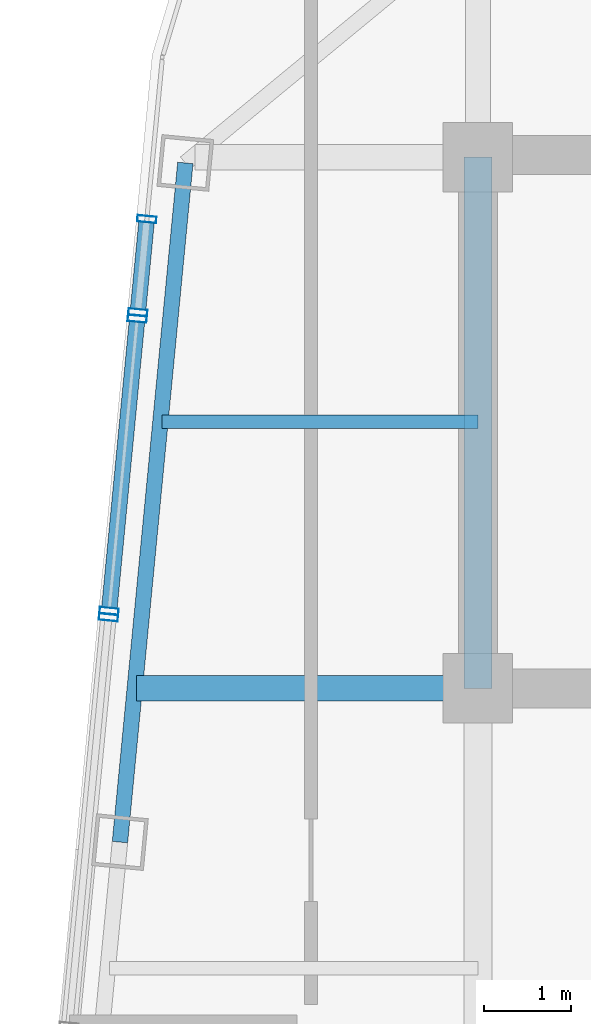
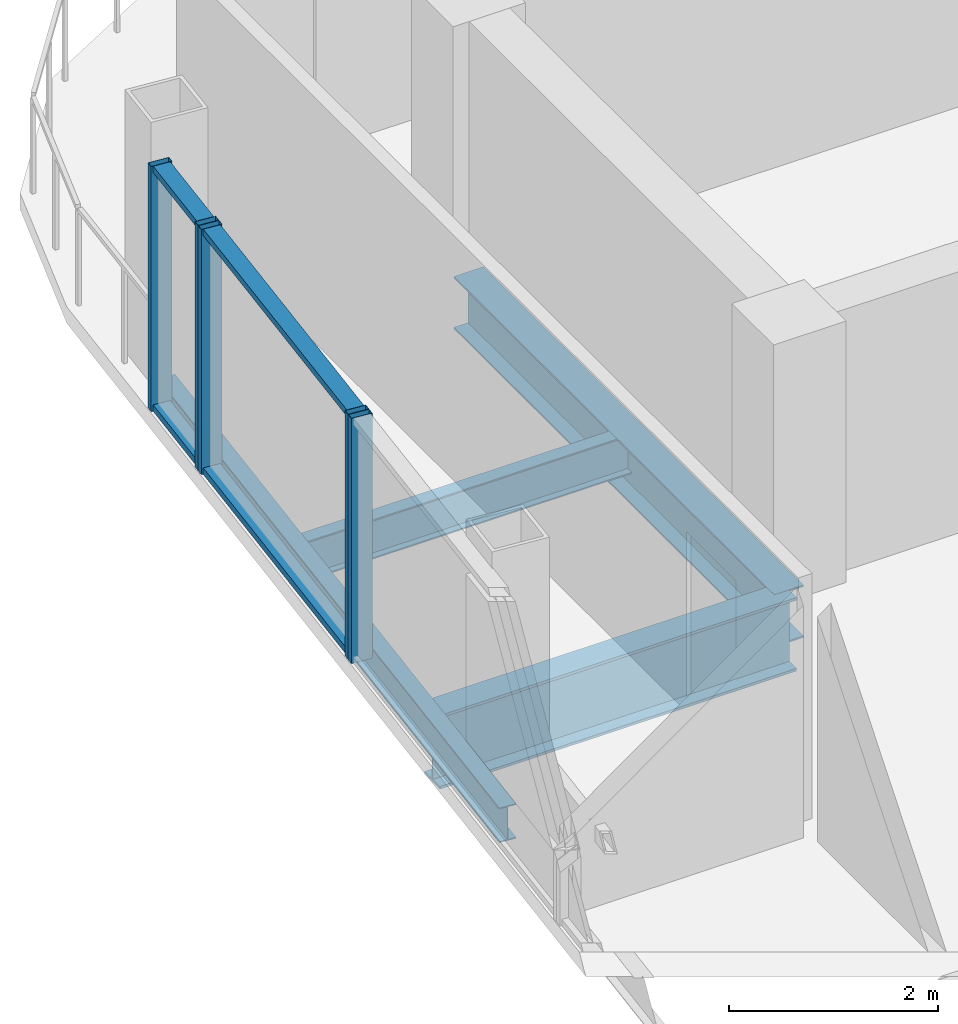
# One storey, part 11 of 27: 9 members, 4 beams, 3 elements without a shape of their own.
"""IFC4 building model written with IfcOpenShell, lengths in metres."""

from ifc_helpers import new_model, si_unit, direction, frame, origin, origin_2d, place, context, subcontext, project, spatial, hollow_rectangle, i_section, extrude, material, layer, layer_set, material_profile, profile_set, type_object, element, aggregate, save


model = new_model("IFC4")

# Units and contexts
model_context = context("Model", 3, precision=1e-05, world=origin(), true_north=direction((0.0, 1.0)))
body_context = subcontext(model_context, "Body", "Model", "MODEL_VIEW")
ifc_project = project(units=[si_unit("LENGTHUNIT", "METRE"), si_unit("AREAUNIT", "SQUARE_METRE"), si_unit("VOLUMEUNIT", "CUBIC_METRE"), si_unit("PLANEANGLEUNIT", "RADIAN"), si_unit("MASSUNIT", "GRAM", prefix="KILO")], contexts=[model_context])

# Site, building, storey
site_placement = place(None, origin())
site = spatial("IfcSite", under=ifc_project, at=site_placement, CompositionType="ELEMENT")
building_placement = place(site_placement, origin())
building = spatial("IfcBuilding", under=site, at=building_placement, Name="Qhalaya Broadcast Tower", CompositionType="ELEMENT")
storey_placement = place(building_placement, frame((0.0, 0.0, 258.10009765625)))
storey = spatial("IfcBuildingStorey", under=building, at=storey_placement, Name="L76", CompositionType="ELEMENT", Elevation=258.10009765625)

# Beams
ifc_material_1 = material(Name="Structural Steel ASTM A992 Grade 50", Category="steel")
ifc_material_profile_1 = material_profile(ifc_material_1, i_section(OverallWidth=0.154052734375, OverallDepth=0.458984375, WebThickness=0.009033203125, FlangeThickness=0.015380859375, at=origin_2d()), Name="W18X46")
ifc_profile_set_1 = profile_set([ifc_material_profile_1], Name="Structural Steel ASTM A992 Grade 50")
beam_type_1 = type_object("IfcBeamType", Name="Composite Floor Joist J04", PredefinedType="JOIST", material=ifc_profile_set_1)
beam_1_placement = place(storey_placement, frame((-13.015625, 6.89990234375, -0.419677734375), z_axis=(1.0, 0.0, 0.0), x_axis=(0.0, 1.0, 0.0)))
element("IfcBeam", 1, at=beam_1_placement, inside=storey, type_object=beam_type_1, Name="L76 J04 L76-JWE5W-1", PredefinedType="JOIST", context=body_context, shape_type="SweptSolid", body=[
    extrude(i_section(OverallWidth=0.154052734375, OverallDepth=0.458984375, WebThickness=0.009033203125, FlangeThickness=0.015380859375, at=origin_2d()), origin(), (0.0, 0.0, 1.0), 3.640625),
])
ifc_material_profile_2 = material_profile(ifc_material_1, i_section(OverallWidth=0.323974609375, OverallDepth=0.612060546875, WebThickness=0.0126953125, FlangeThickness=0.01904296875, at=origin_2d()), Name="W24X104")
ifc_profile_set_2 = profile_set([ifc_material_profile_2], Name="Structural Steel ASTM A992 Grade 50")
beam_type_2 = type_object("IfcBeamType", Name="Core Frame Tie Beam B04", PredefinedType="BEAM", material=ifc_profile_set_2)
beam_2_placement = place(storey_placement, frame((-9.375, 3.824951171875, -0.49609375), z_axis=(0.0, 1.0, 0.0), x_axis=(-1.0, 0.0, 0.0)))
element("IfcBeam", 2, at=beam_2_placement, inside=storey, type_object=beam_type_2, Name="L76 B04 L76-CCN2", PredefinedType="BEAM", context=body_context, shape_type="SweptSolid", body=[
    extrude(i_section(OverallWidth=0.323974609375, OverallDepth=0.612060546875, WebThickness=0.0126953125, FlangeThickness=0.01904296875, at=origin_2d()), origin(), (0.0, 0.0, 1.0), 6.125),
])

# Curtain wall, members
ifc_material_2 = material(Name="Fired Architectural Terracotta", Category="masonry")
ifc_layer_1 = layer(ifc_material_2, 0.219970703125, Name="Fired Architectural Terracotta")
ifc_layer_set_1 = layer_set([ifc_layer_1], Name="Fired Architectural Terracotta")
curtain_wall_type_1 = type_object("IfcCurtainWallType", Name="Block-Cap Unitised Terracotta Spandrel Wall CW-07", PredefinedType="NOTDEFINED", material=ifc_layer_set_1)
curtain_wall_1_placement = place(storey_placement, origin())
curtain_wall_1 = element("IfcCurtainWall", 3, at=curtain_wall_1_placement, inside=storey, type_object=curtain_wall_type_1, Name="L76 Unitised Curtain Wall L76-CW-W1", PredefinedType="NOTDEFINED")
ifc_material_3 = material(Name="Anodised Aluminium 6063-T6", Category="aluminium")
ifc_material_profile_3 = material_profile(ifc_material_3, hollow_rectangle(XDim=0.074951171875, YDim=0.219970703125, WallThickness=0.00390625, at=origin_2d()), Name="ALU-MUL 75x220x4")
ifc_profile_set_3 = profile_set([ifc_material_profile_3], Name="Anodised Aluminium 6063-T6")
member_type_1 = type_object("IfcMemberType", Name="Unitised Curtain-Wall Mullion M01", PredefinedType="MULLION", material=ifc_profile_set_3)
member_1_placement = place(storey_placement, frame((-13.192626953125, 9.235107421875, 0.0), z_axis=(0.0, 0.0, 1.0), x_axis=(-0.095839545253, -0.995396796039, 0.0)))
member_1 = element("IfcMember", 4, at=member_1_placement, type_object=member_type_1, Name="CW-07 mullion 1", PredefinedType="MULLION", context=body_context, shape_type="SweptSolid", body=[
    extrude(hollow_rectangle(XDim=0.074951171875, YDim=0.219970703125, WallThickness=0.00390625, at=origin_2d()), origin(), (0.0, 0.0, 1.0), 2.85986328125),
])
member_2_placement = place(storey_placement, frame((-13.2958984375, 8.1611328125, 0.0), z_axis=(0.0, 0.0, 1.0), x_axis=(-0.095839545253, -0.995396796039, 0.0)))
member_2 = element("IfcMember", 5, at=member_2_placement, type_object=member_type_1, Name="CW-07 mullion 2", PredefinedType="MULLION", context=body_context, shape_type="SweptSolid", body=[
    extrude(hollow_rectangle(XDim=0.074951171875, YDim=0.219970703125, WallThickness=0.00390625, at=origin_2d()), origin(), (0.0, 0.0, 1.0), 2.85986328125),
])

ifc_material_4 = material(Name="Solar-Control Low-E Triple Glazing", Category="glass")
ifc_layer_2 = layer(ifc_material_4, 0.219970703125, Name="Solar-Control Low-E Triple Glazing")
ifc_layer_set_2 = layer_set([ifc_layer_2], Name="Solar-Control Low-E Triple Glazing")
curtain_wall_type_2 = type_object("IfcCurtainWallType", Name="High-Altitude Upper-Shaft Triple Low-E Curtain Wall CW-04", PredefinedType="NOTDEFINED", material=ifc_layer_set_2)
curtain_wall_2_placement = place(storey_placement, origin())
curtain_wall_2 = element("IfcCurtainWall", 6, at=curtain_wall_2_placement, inside=storey, type_object=curtain_wall_type_2, Name="L76 Unitised Curtain Wall L76-CW-W2", PredefinedType="NOTDEFINED")
member_3_placement = place(storey_placement, frame((-13.30322265625, 8.08642578125, 0.0), z_axis=(0.0, 0.0, 1.0), x_axis=(-0.095836350923, -0.995397103593, 0.0)))
member_3 = element("IfcMember", 7, at=member_3_placement, type_object=member_type_1, Name="CW-04 mullion 1", PredefinedType="MULLION", context=body_context, shape_type="SweptSolid", body=[
    extrude(hollow_rectangle(XDim=0.074951171875, YDim=0.219970703125, WallThickness=0.00390625, at=origin_2d()), origin(), (0.0, 0.0, 1.0), 2.85986328125),
])
member_4_placement = place(storey_placement, frame((-13.62744140625, 4.718017578125, 0.0), z_axis=(0.0, 0.0, 1.0), x_axis=(-0.095836350923, -0.995397103593, 0.0)))
member_4 = element("IfcMember", 8, at=member_4_placement, type_object=member_type_1, Name="CW-04 mullion 2", PredefinedType="MULLION", context=body_context, shape_type="SweptSolid", body=[
    extrude(hollow_rectangle(XDim=0.074951171875, YDim=0.219970703125, WallThickness=0.00390625, at=origin_2d()), origin(), (0.0, 0.0, 1.0), 2.85986328125),
])

# Curtain wall, member
curtain_wall_3_placement = place(storey_placement, origin())
curtain_wall_3 = element("IfcCurtainWall", 9, at=curtain_wall_3_placement, inside=storey, type_object=curtain_wall_type_1, Name="L76 Unitised Curtain Wall L76-CW-W3", PredefinedType="NOTDEFINED")
member_5_placement = place(storey_placement, frame((-13.634765625, 4.643310546875, 0.0), z_axis=(0.0, 0.0, 1.0), x_axis=(-0.095862212639, -0.995394613301, 0.0)))
member_5 = element("IfcMember", 10, at=member_5_placement, type_object=member_type_1, Name="CW-07 mullion 1", PredefinedType="MULLION", context=body_context, shape_type="SweptSolid", body=[
    extrude(hollow_rectangle(XDim=0.074951171875, YDim=0.219970703125, WallThickness=0.00390625, at=origin_2d()), origin(), (0.0, 0.0, 1.0), 2.85986328125),
])
aggregate(curtain_wall_3, [member_5])

# Member
ifc_material_profile_4 = material_profile(ifc_material_3, hollow_rectangle(XDim=0.074951171875, YDim=0.179931640625, WallThickness=0.00390625, at=origin_2d()), Name="ALU-TRN 75x180x4")
ifc_profile_set_4 = profile_set([ifc_material_profile_4], Name="Anodised Aluminium 6063-T6")
member_type_2 = type_object("IfcMemberType", Name="Unitised Curtain-Wall Transom T01", PredefinedType="USERDEFINED", material=ifc_profile_set_4)
member_6_placement = place(storey_placement, frame((-13.1962890625, 9.19775390625, 0.037353515625), z_axis=(-0.095795797955, -0.99540100718, 0.0), x_axis=(0.0, 0.0, 1.0)))
member_6 = element("IfcMember", 11, at=member_6_placement, type_object=member_type_2, Name="CW-07 transom 1.1", ObjectType="TRANSOM", PredefinedType="USERDEFINED", context=body_context, shape_type="SweptSolid", body=[
    extrude(hollow_rectangle(XDim=0.074951171875, YDim=0.179931640625, WallThickness=0.00390625, at=origin_2d()), origin(), (0.0, 0.0, 1.0), 1.004150390625),
])

member_7_placement = place(storey_placement, frame((-13.1962890625, 9.19775390625, 2.822509765625), z_axis=(-0.095795797955, -0.99540100718, 0.0), x_axis=(0.0, 0.0, 1.0)))
member_7 = element("IfcMember", 12, at=member_7_placement, type_object=member_type_2, Name="CW-07 transom 1.2", ObjectType="TRANSOM", PredefinedType="USERDEFINED", context=body_context, shape_type="SweptSolid", body=[
    extrude(hollow_rectangle(XDim=0.074951171875, YDim=0.179931640625, WallThickness=0.00390625, at=origin_2d()), origin(), (0.0, 0.0, 1.0), 1.004150390625),
])

aggregate(curtain_wall_1, [member_1, member_2, member_6, member_7])

member_8_placement = place(storey_placement, frame((-13.306884765625, 8.049072265625, 0.037353515625), z_axis=(-0.095843153712, -0.995396448601, 0.0), x_axis=(0.0, 0.0, 1.0)))
member_8 = element("IfcMember", 13, at=member_8_placement, type_object=member_type_2, Name="CW-04 transom 1.1", ObjectType="TRANSOM", PredefinedType="USERDEFINED", context=body_context, shape_type="SweptSolid", body=[
    extrude(hollow_rectangle(XDim=0.074951171875, YDim=0.179931640625, WallThickness=0.00390625, at=origin_2d()), origin(), (0.0, 0.0, 1.0), 3.308837890625),
])

member_9_placement = place(storey_placement, frame((-13.306884765625, 8.049072265625, 2.822509765625), z_axis=(-0.095843153712, -0.995396448601, 0.0), x_axis=(0.0, 0.0, 1.0)))
member_9 = element("IfcMember", 14, at=member_9_placement, type_object=member_type_2, Name="CW-04 transom 1.2", ObjectType="TRANSOM", PredefinedType="USERDEFINED", context=body_context, shape_type="SweptSolid", body=[
    extrude(hollow_rectangle(XDim=0.074951171875, YDim=0.179931640625, WallThickness=0.00390625, at=origin_2d()), origin(), (0.0, 0.0, 1.0), 3.308837890625),
])

aggregate(curtain_wall_2, [member_3, member_4, member_8, member_9])

# Beams
ifc_material_profile_5 = material_profile(ifc_material_1, i_section(OverallWidth=0.2919921875, OverallDepth=0.85888671875, WebThickness=0.01708984375, FlangeThickness=0.031005859375, at=origin_2d()), Name="W33X169")
ifc_profile_set_5 = profile_set([ifc_material_profile_5], Name="Structural Steel ASTM A992 Grade 50")
beam_type_3 = type_object("IfcBeamType", Name="Upper Block Primary Girder PG4", PredefinedType="USERDEFINED", material=ifc_profile_set_5)
beam_3_placement = place(storey_placement, frame((-13.311767578125, 3.824951171875, -0.61962890625), z_axis=(1.0, 0.0, 0.0), x_axis=(0.0, 1.0, 0.0)))
element("IfcBeam", 15, at=beam_3_placement, inside=storey, type_object=beam_type_3, Name="L76 PG4 L76-PGYW3-1", ObjectType="GIRDER", PredefinedType="USERDEFINED", context=body_context, shape_type="SweptSolid", body=[
    extrude(i_section(OverallWidth=0.2919921875, OverallDepth=0.85888671875, WebThickness=0.01708984375, FlangeThickness=0.031005859375, at=origin_2d()), origin(), (0.0, 0.0, 1.0), 3.936767578125),
])
ifc_material_profile_6 = material_profile(ifc_material_1, i_section(OverallWidth=0.177978515625, OverallDepth=0.406005859375, WebThickness=0.0078125, FlangeThickness=0.0126953125, at=origin_2d()), Name="W16X40")
ifc_profile_set_6 = profile_set([ifc_material_profile_6], Name="Structural Steel ASTM A992 Grade 50")
beam_type_4 = type_object("IfcBeamType", Name="Upper Perimeter Spandrel Beam SP2", PredefinedType="SPANDREL", material=ifc_profile_set_6)
beam_4_placement = place(storey_placement, frame((-12.74853515625, 9.883056640625, -0.39306640625), z_axis=(-0.095834223619, -0.995397308407, 0.0), x_axis=(0.995397308407, -0.095834223619, 0.0)))
element("IfcBeam", 16, at=beam_4_placement, inside=storey, type_object=beam_type_4, Name="L76 SP2 L76-SPR-13", PredefinedType="SPANDREL", context=body_context, shape_type="SweptSolid", body=[
    extrude(i_section(OverallWidth=0.177978515625, OverallDepth=0.406005859375, WebThickness=0.0078125, FlangeThickness=0.0126953125, at=origin_2d()), origin(), (0.0, 0.0, 1.0), 7.86669921875),
])

save(model, "model.ifc")
